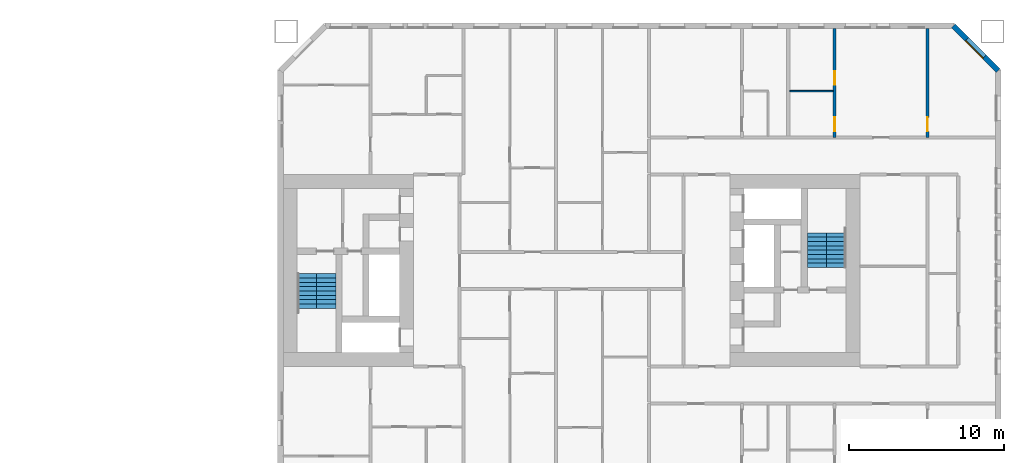
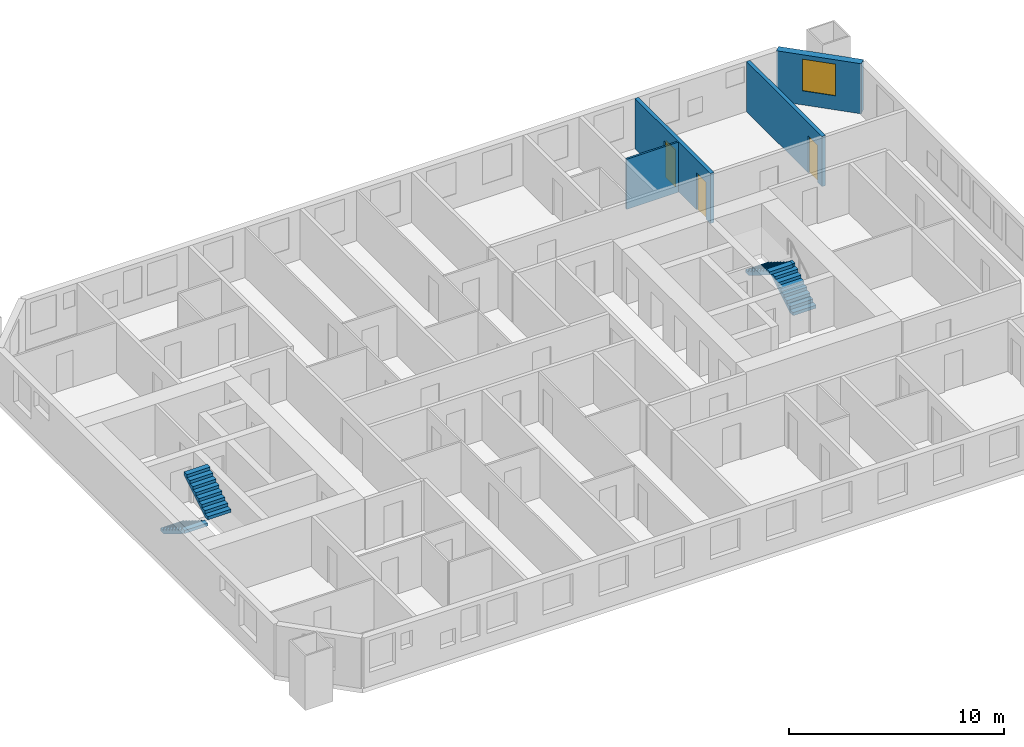
# One storey, part 15 of 17: 4 stair flights, 4 walls, 3 doors, 1 window, 4 openings, 2 elements without a shape of their own.
"""IFC4 building model written with IfcOpenShell, lengths in metres."""

from ifc_helpers import new_model, si_unit, direction, frame, frame_2d, origin, place, context, subcontext, project, spatial, polyline, rectangle, outline, extrude, material, layer, layer_set, type_object, element, fill, aggregate, save


model = new_model("IFC4")

# Units and contexts
model_context = context("Model", 3, precision=1e-05, world=origin(), true_north=direction((0.0, 1.0)))
body_context = subcontext(model_context, "Body", "Model", "MODEL_VIEW")
ifc_project = project(units=[si_unit("LENGTHUNIT", "METRE"), si_unit("AREAUNIT", "SQUARE_METRE"), si_unit("VOLUMEUNIT", "CUBIC_METRE"), si_unit("PLANEANGLEUNIT", "RADIAN"), si_unit("MASSUNIT", "GRAM", prefix="KILO")], contexts=[model_context])

# Site, building, storey
site_placement = place(None, origin())
site = spatial("IfcSite", under=ifc_project, at=site_placement, CompositionType="ELEMENT")
building_placement = place(site_placement, origin())
building = spatial("IfcBuilding", under=site, at=building_placement, Name="Tuart Gate Housing", CompositionType="ELEMENT")
storey_placement = place(building_placement, frame((0.0, 0.0, 22.60009765625)))
storey = spatial("IfcBuildingStorey", under=building, at=storey_placement, Name="L05", CompositionType="ELEMENT", Elevation=22.60009765625)

# Wall, opening, window
ifc_material_1 = material(Name="Brick", Category="masonry")
ifc_layer_1 = layer(ifc_material_1, 0.360107421875)
ifc_layer_set_1 = layer_set([ifc_layer_1], Name="Brick pier and spandrel wall 360")
wall_type_1 = type_object("IfcWallType", Name="Brick pier and spandrel wall 360", PredefinedType="STANDARD", material=ifc_layer_set_1)
wall_1_placement = place(storey_placement, frame((177.570068359375, 82.92529296875, 0.0), z_axis=(0.0, 0.0, 1.0), x_axis=(-0.707106781187, 0.707106781187, 0.0)))
wall_1 = element("IfcWall", 1, at=wall_1_placement, inside=storey, type_object=wall_type_1, Name="External wall B-NE L05", PredefinedType="STANDARD", context=body_context, shape_type="SweptSolid", body=[
    extrude(rectangle(XDim=4.09375, YDim=0.360107421875, at=frame_2d((2.046875, 0.0))), origin(), (0.0, 0.0, 1.0), 2.849853515625),
])
opening_1_placement = place(wall_1_placement, frame((1.2470703125, 0.0, 0.800048828125)))
opening_1 = element("IfcOpeningElement", 2, at=opening_1_placement, cuts=wall_1, Name="Opening W1", PredefinedType="OPENING", context=body_context, shape_type="SweptSolid", body=[
    extrude(rectangle(XDim=1.60009765625, YDim=1.800048828125, at=frame_2d((0.800048828125, 0.89990234375))), frame((0.0, 0.18994140625, 0.0), z_axis=(0.0, -1.0, 0.0), x_axis=(1.0, 0.0, 0.0)), (0.0, 0.0, 1.0), 0.380126953125),
])
ifc_material_2 = material(Name="Aluminium frame with clear glass", Category="aluminium")
window_type = type_object("IfcWindowType", Name="Punched window 1600 x 1800", PartitioningType="SINGLE_PANEL", PredefinedType="WINDOW", material=ifc_material_2)
window_placement = place(opening_1_placement, origin())
window = element("IfcWindow", 3, at=window_placement, inside=storey, type_object=window_type, Name="Window W1", OverallHeight=1.800048828125, OverallWidth=1.60009765625, PartitioningType="SINGLE_PANEL", PredefinedType="WINDOW", context=body_context, shape_type="SweptSolid", body=[
    extrude(rectangle(XDim=1.60009765625, YDim=1.800048828125, at=frame_2d((0.800048828125, 0.89990234375))), frame((0.0, 0.150146484375, 0.0), z_axis=(0.0, -1.0, 0.0), x_axis=(1.0, 0.0, 0.0)), (0.0, 0.0, 1.0), 0.06005859375),
])
fill(opening_1, window)

# Wall
ifc_material_3 = material(Name="Gypsum board on steel studs", Category="steel")
ifc_layer_2 = layer(ifc_material_3, 0.10009765625)
ifc_layer_set_2 = layer_set([ifc_layer_2], Name="Partition 100")
wall_type_2 = type_object("IfcWallType", Name="Partition 100", PredefinedType="PARTITIONING", material=ifc_layer_set_2)
wall_2_placement = place(storey_placement, frame((164.10009765625, 81.60009765625, 0.0), z_axis=(0.0, 0.0, 1.0), x_axis=(1.0, 0.0, 0.0)))
element("IfcWall", 4, at=wall_2_placement, inside=storey, type_object=wall_type_2, Name="Partition 100", PredefinedType="PARTITIONING", context=body_context, shape_type="SweptSolid", body=[
    extrude(rectangle(XDim=2.7998046875, YDim=0.10009765625, at=frame_2d((1.39990234375, 0.0))), origin(), (0.0, 0.0, 1.0), 2.849853515625),
])

# Wall, openings, doors
ifc_material_4 = material(Name="Concrete C40", Category="concrete")
ifc_layer_3 = layer(ifc_material_4, 0.199951171875)
ifc_layer_set_3 = layer_set([ifc_layer_3], Name="Party wall concrete C40 200")
wall_type_3 = type_object("IfcWallType", Name="Party wall concrete C40 200", PredefinedType="SOLIDWALL", material=ifc_layer_set_3)
wall_3_placement = place(storey_placement, frame((167.0, 78.60009765625, 0.0), z_axis=(0.0, 0.0, 1.0), x_axis=(0.0, 1.0, 0.0)))
wall_3 = element("IfcWall", 5, at=wall_3_placement, inside=storey, type_object=wall_type_3, Name="Party wall concrete C40 200", PredefinedType="SOLIDWALL", context=body_context, shape_type="SweptSolid", body=[
    extrude(rectangle(XDim=7.039794921875, YDim=0.199951171875, at=frame_2d((3.52001953125, 0.0))), origin(), (0.0, 0.0, 1.0), 2.849853515625),
])
opening_2_placement = place(wall_3_placement, frame((3.39990234375, 0.0, 0.0)))
opening_2 = element("IfcOpeningElement", 6, at=opening_2_placement, cuts=wall_3, Name="Opening D412", PredefinedType="OPENING", context=body_context, shape_type="SweptSolid", body=[
    extrude(rectangle(XDim=0.89990234375, YDim=2.10009765625, at=frame_2d((0.449951171875, 1.050048828125))), frame((0.0, 0.10986328125, 0.0), z_axis=(0.0, -1.0, 0.0), x_axis=(1.0, 0.0, 0.0)), (0.0, 0.0, 1.0), 0.219970703125),
])
opening_3_placement = place(wall_3_placement, frame((0.39990234375, 0.0, 0.0)))
opening_3 = element("IfcOpeningElement", 7, at=opening_3_placement, cuts=wall_3, Name="Opening D411", PredefinedType="OPENING", context=body_context, shape_type="SweptSolid", body=[
    extrude(rectangle(XDim=0.89990234375, YDim=2.10009765625, at=frame_2d((0.449951171875, 1.050048828125))), frame((0.0, 0.10986328125, 0.0), z_axis=(0.0, -1.0, 0.0), x_axis=(1.0, 0.0, 0.0)), (0.0, 0.0, 1.0), 0.219970703125),
])
ifc_material_5 = material(Name="Timber door leaf in steel frame", Category="steel")
door_type_1 = type_object("IfcDoorType", Name="Bathroom door 900", OperationType="SINGLE_SWING_LEFT", PredefinedType="DOOR", material=ifc_material_5)
door_1_placement = place(opening_3_placement, origin())
door_1 = element("IfcDoor", 8, at=door_1_placement, inside=storey, type_object=door_type_1, Name="Bathroom door", OperationType="SINGLE_SWING_LEFT", OverallHeight=2.10009765625, OverallWidth=0.89990234375, PredefinedType="DOOR", context=body_context, shape_type="SweptSolid", body=[
    extrude(rectangle(XDim=0.89990234375, YDim=2.10009765625, at=frame_2d((0.449951171875, 1.050048828125))), frame((0.0, 0.02490234375, 0.0), z_axis=(0.0, -1.0, 0.0), x_axis=(1.0, 0.0, 0.0)), (0.0, 0.0, 1.0), 0.050048828125),
])
fill(opening_3, door_1)
ifc_material_6 = material(Name="Timber door leaf in steel frame", Category="steel")
door_type_2 = type_object("IfcDoorType", Name="Internal door 900", OperationType="SINGLE_SWING_LEFT", PredefinedType="DOOR", material=ifc_material_6)
door_2_placement = place(opening_2_placement, origin())
door_2 = element("IfcDoor", 9, at=door_2_placement, inside=storey, type_object=door_type_2, Name="Internal door", OperationType="SINGLE_SWING_LEFT", OverallHeight=2.10009765625, OverallWidth=0.89990234375, PredefinedType="DOOR", context=body_context, shape_type="SweptSolid", body=[
    extrude(rectangle(XDim=0.89990234375, YDim=2.10009765625, at=frame_2d((0.449951171875, 1.050048828125))), frame((0.0, 0.02490234375, 0.0), z_axis=(0.0, -1.0, 0.0), x_axis=(1.0, 0.0, 0.0)), (0.0, 0.0, 1.0), 0.050048828125),
])
fill(opening_2, door_2)

# Wall, opening, door
wall_4_placement = place(storey_placement, frame((173.0, 78.60009765625, 0.0), z_axis=(0.0, 0.0, 1.0), x_axis=(0.0, 1.0, 0.0)))
wall_4 = element("IfcWall", 10, at=wall_4_placement, inside=storey, type_object=wall_type_3, Name="Party wall concrete C40 200", PredefinedType="SOLIDWALL", context=body_context, shape_type="SweptSolid", body=[
    extrude(rectangle(XDim=7.039794921875, YDim=0.199951171875, at=frame_2d((3.52001953125, 0.0))), origin(), (0.0, 0.0, 1.0), 2.849853515625),
])
opening_4_placement = place(wall_4_placement, frame((0.39990234375, 0.0, 0.0)))
opening_4 = element("IfcOpeningElement", 11, at=opening_4_placement, cuts=wall_4, Name="Opening D413", PredefinedType="OPENING", context=body_context, shape_type="SweptSolid", body=[
    extrude(rectangle(XDim=0.89990234375, YDim=2.10009765625, at=frame_2d((0.449951171875, 1.050048828125))), frame((0.0, 0.10986328125, 0.0), z_axis=(0.0, -1.0, 0.0), x_axis=(1.0, 0.0, 0.0)), (0.0, 0.0, 1.0), 0.219970703125),
])
ifc_material_7 = material(Name="Timber door leaf in steel frame", Category="steel")
door_type_3 = type_object("IfcDoorType", Name="Internal door 900 RH", OperationType="SINGLE_SWING_RIGHT", PredefinedType="DOOR", material=ifc_material_7)
door_3_placement = place(opening_4_placement, frame((0.89990234375, 0.0, 0.0), z_axis=(0.0, 0.0, 1.0), x_axis=(-1.0, 0.0, 0.0)))
door_3 = element("IfcDoor", 12, at=door_3_placement, inside=storey, type_object=door_type_3, Name="Internal door", OperationType="SINGLE_SWING_RIGHT", OverallHeight=2.10009765625, OverallWidth=0.89990234375, PredefinedType="DOOR", context=body_context, shape_type="SweptSolid", body=[
    extrude(rectangle(XDim=0.89990234375, YDim=2.10009765625, at=frame_2d((0.449951171875, 1.050048828125))), frame((0.0, 0.025146484375, 0.0), z_axis=(0.0, -1.0, 0.0), x_axis=(1.0, 0.0, 0.0)), (0.0, 0.0, 1.0), 0.050048828125),
])
fill(opening_4, door_3)

# Stair, stair flights
ifc_material_8 = material(Name="Concrete C40", Category="concrete")
stair_type = type_object("IfcStairType", Name="Core stair 1250", PredefinedType="HALF_TURN_STAIR", material=ifc_material_8)
stair_1_placement = place(storey_placement, origin())
stair_1 = element("IfcStair", 13, at=stair_1_placement, inside=storey, type_object=stair_type, Name="Stair SB1", PredefinedType="HALF_TURN_STAIR")
ifc_material_9 = material(Name="Concrete C40", Category="concrete")
stair_flight_type = type_object("IfcStairFlightType", Name="Stair flight 1250, 9 risers 172 x 280", PredefinedType="STRAIGHT", material=ifc_material_9)
stair_flight_1_placement = place(storey_placement, frame((132.885009765625, 69.800048828125, 0.0), z_axis=(0.0, 0.0, 1.0), x_axis=(0.0, -1.0, 0.0)))
stair_flight_1 = element("IfcStairFlight", 14, at=stair_flight_1_placement, type_object=stair_flight_type, Name="SB1 flight 1", NumberOfRisers=9, NumberOfTreads=8, PredefinedType="STRAIGHT", RiserHeight=0.172222222, TreadLength=0.28, context=body_context, shape_type="SweptSolid", body=[
    extrude(outline(polyline([(0.0, 0.0), (0.0, 0.172119140625), (0.280029296875, 0.172119140625), (0.280029296875, 0.344482421875), (0.56005859375, 0.344482421875), (0.56005859375, 0.5166015625), (0.840087890625, 0.5166015625), (0.840087890625, 0.68896484375), (1.1201171875, 0.68896484375), (1.1201171875, 0.861083984375), (1.39990234375, 0.861083984375), (1.39990234375, 1.033447265625), (1.679931640625, 1.033447265625), (1.679931640625, 1.20556640625), (1.9599609375, 1.20556640625), (1.9599609375, 1.377685546875), (2.239990234375, 1.377685546875), (2.239990234375, 1.550048828125), (2.239990234375, 1.201904296875), (0.2861328125, 0.0), (0.0, 0.0)])), frame((0.0, 0.625, 0.0), z_axis=(0.0, -1.0, 0.0), x_axis=(1.0, 0.0, 0.0)), (0.0, 0.0, 1.0), 1.25),
])
stair_flight_2_placement = place(storey_placement, frame((134.135009765625, 67.56005859375, 1.5498046875), z_axis=(0.0, 0.0, 1.0), x_axis=(0.0, 1.0, 0.0)))
stair_flight_2 = element("IfcStairFlight", 15, at=stair_flight_2_placement, type_object=stair_flight_type, Name="SB1 flight 2", NumberOfRisers=9, NumberOfTreads=8, PredefinedType="STRAIGHT", RiserHeight=0.172222222, TreadLength=0.28, context=body_context, shape_type="SweptSolid", body=[
    extrude(outline(polyline([(0.0, 0.0), (0.0, 0.172119140625), (0.280029296875, 0.172119140625), (0.280029296875, 0.344482421875), (0.56005859375, 0.344482421875), (0.56005859375, 0.5166015625), (0.840087890625, 0.5166015625), (0.840087890625, 0.68896484375), (1.1201171875, 0.68896484375), (1.1201171875, 0.861083984375), (1.39990234375, 0.861083984375), (1.39990234375, 1.033447265625), (1.679931640625, 1.033447265625), (1.679931640625, 1.20556640625), (1.9599609375, 1.20556640625), (1.9599609375, 1.377685546875), (2.239990234375, 1.377685546875), (2.239990234375, 1.550048828125), (2.239990234375, 1.201904296875), (0.2861328125, 0.0), (0.0, 0.0)])), frame((0.0, 0.625, 0.0), z_axis=(0.0, -1.0, 0.0), x_axis=(1.0, 0.0, 0.0)), (0.0, 0.0, 1.0), 1.25),
])
aggregate(stair_1, [stair_flight_1, stair_flight_2])

stair_2_placement = place(storey_placement, origin())
stair_2 = element("IfcStair", 16, at=stair_2_placement, inside=storey, type_object=stair_type, Name="Stair SB2", PredefinedType="HALF_TURN_STAIR")
stair_flight_3_placement = place(storey_placement, frame((167.114990234375, 70.199951171875, 0.0), z_axis=(0.0, 0.0, 1.0), x_axis=(0.0, 1.0, 0.0)))
stair_flight_3 = element("IfcStairFlight", 17, at=stair_flight_3_placement, type_object=stair_flight_type, Name="SB2 flight 1", NumberOfRisers=9, NumberOfTreads=8, PredefinedType="STRAIGHT", RiserHeight=0.172222222, TreadLength=0.28, context=body_context, shape_type="SweptSolid", body=[
    extrude(outline(polyline([(0.0, 0.0), (0.0, 0.172119140625), (0.280029296875, 0.172119140625), (0.280029296875, 0.344482421875), (0.56005859375, 0.344482421875), (0.56005859375, 0.5166015625), (0.840087890625, 0.5166015625), (0.840087890625, 0.68896484375), (1.1201171875, 0.68896484375), (1.1201171875, 0.861083984375), (1.39990234375, 0.861083984375), (1.39990234375, 1.033447265625), (1.679931640625, 1.033447265625), (1.679931640625, 1.20556640625), (1.9599609375, 1.20556640625), (1.9599609375, 1.377685546875), (2.239990234375, 1.377685546875), (2.239990234375, 1.550048828125), (2.239990234375, 1.201904296875), (0.2861328125, 0.0), (0.0, 0.0)])), frame((0.0, 0.625, 0.0), z_axis=(0.0, -1.0, 0.0), x_axis=(1.0, 0.0, 0.0)), (0.0, 0.0, 1.0), 1.25),
])
stair_flight_4_placement = place(storey_placement, frame((165.864990234375, 72.43994140625, 1.5498046875), z_axis=(0.0, 0.0, 1.0), x_axis=(0.0, -1.0, 0.0)))
stair_flight_4 = element("IfcStairFlight", 18, at=stair_flight_4_placement, type_object=stair_flight_type, Name="SB2 flight 2", NumberOfRisers=9, NumberOfTreads=8, PredefinedType="STRAIGHT", RiserHeight=0.172222222, TreadLength=0.28, context=body_context, shape_type="SweptSolid", body=[
    extrude(outline(polyline([(0.0, 0.0), (0.0, 0.172119140625), (0.280029296875, 0.172119140625), (0.280029296875, 0.344482421875), (0.56005859375, 0.344482421875), (0.56005859375, 0.5166015625), (0.840087890625, 0.5166015625), (0.840087890625, 0.68896484375), (1.1201171875, 0.68896484375), (1.1201171875, 0.861083984375), (1.39990234375, 0.861083984375), (1.39990234375, 1.033447265625), (1.679931640625, 1.033447265625), (1.679931640625, 1.20556640625), (1.9599609375, 1.20556640625), (1.9599609375, 1.377685546875), (2.239990234375, 1.377685546875), (2.239990234375, 1.550048828125), (2.239990234375, 1.201904296875), (0.2861328125, 0.0), (0.0, 0.0)])), frame((0.0, 0.625, 0.0), z_axis=(0.0, -1.0, 0.0), x_axis=(1.0, 0.0, 0.0)), (0.0, 0.0, 1.0), 1.25),
])
aggregate(stair_2, [stair_flight_3, stair_flight_4])

save(model, "model.ifc")
